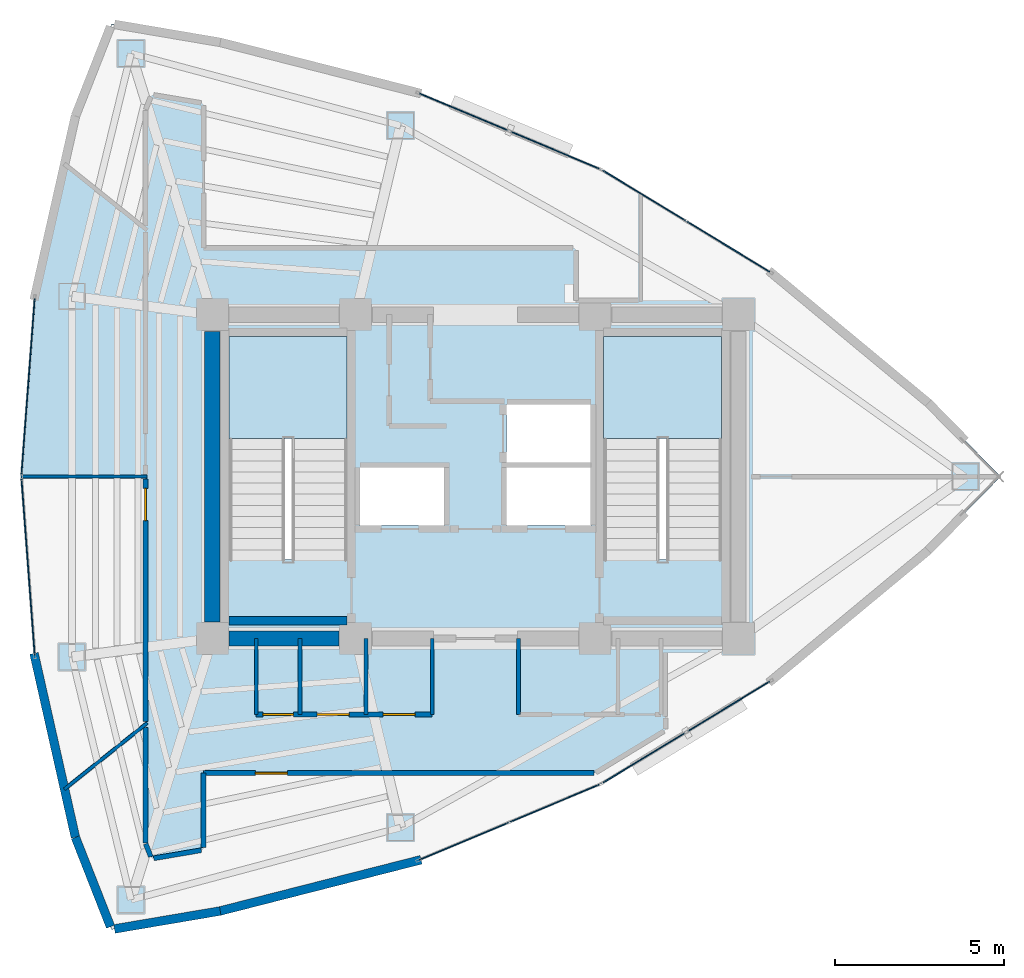
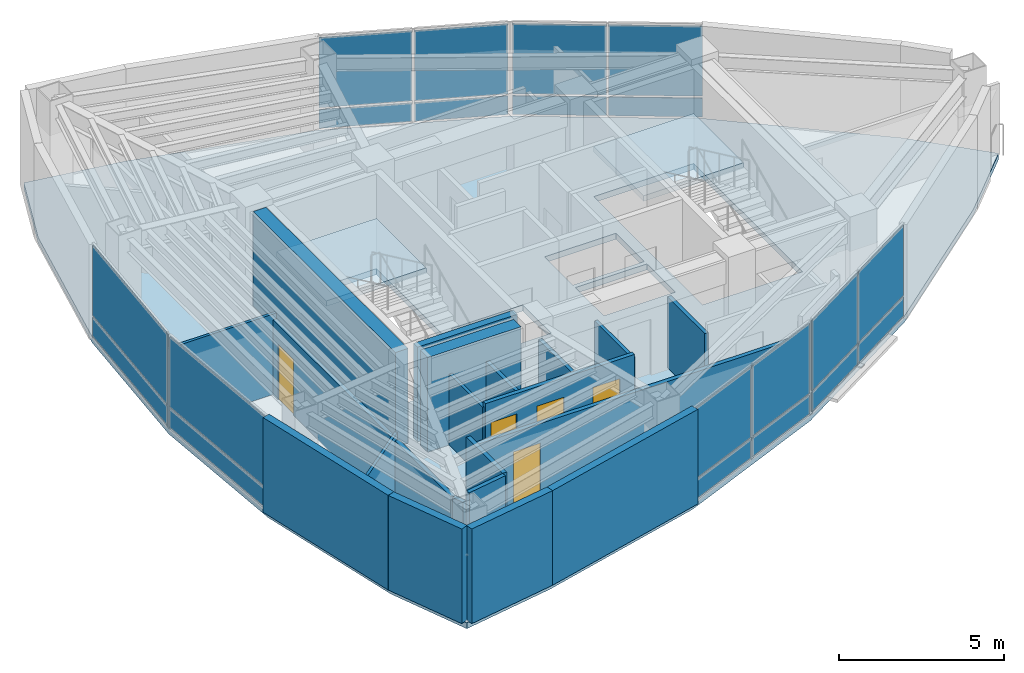
# One storey, part 11 of 15: 21 walls, 20 plates, 5 doors, 3 slabs, 5 openings, 8 elements without a shape of their own.
"""IFC4 building model written with IfcOpenShell, lengths in metres."""

from ifc_helpers import new_model, si_unit, direction, frame, frame_2d, origin, origin_2d, place, context, subcontext, project, spatial, polyline, rectangle, outline, extrude, material, layer, layer_set, type_object, element, fill, aggregate, save


model = new_model("IFC4")

# Units and contexts
model_context = context("Model", 3, precision=1e-05, world=origin(), true_north=direction((0.0, 1.0)))
body_context = subcontext(model_context, "Body", "Model", "MODEL_VIEW")
ifc_project = project(units=[si_unit("LENGTHUNIT", "METRE"), si_unit("AREAUNIT", "SQUARE_METRE"), si_unit("VOLUMEUNIT", "CUBIC_METRE"), si_unit("PLANEANGLEUNIT", "RADIAN"), si_unit("MASSUNIT", "GRAM", prefix="KILO")], contexts=[model_context])

# Site, building, storey
site_placement = place(None, origin())
site = spatial("IfcSite", under=ifc_project, at=site_placement, CompositionType="ELEMENT")
building_placement = place(site_placement, origin())
building = spatial("IfcBuilding", under=site, at=building_placement, Name="Menara Vayukalpa", CompositionType="ELEMENT")
storey_placement = place(building_placement, frame((0.0, 0.0, 262.02001953125)))
storey = spatial("IfcBuildingStorey", under=building, at=storey_placement, Name="L66", CompositionType="ELEMENT", Elevation=262.02001953125)

# Curtain wall, plates
ifc_material_1 = material(Name="Anodised Terracotta Aluminium Alloy 6063-T6", Category="masonry")
ifc_layer_1 = layer(ifc_material_1, 0.1650390625)
ifc_layer_set_1 = layer_set([ifc_layer_1], Name="Anodised Terracotta Aluminium Alloy 6063-T6")
curtain_wall_type = type_object("IfcCurtainWallType", Name="CW-CW6", PredefinedType="USERDEFINED", material=ifc_layer_set_1)
curtain_wall_1_placement = place(storey_placement, origin())
curtain_wall_1 = element("IfcCurtainWall", 1, at=curtain_wall_1_placement, inside=storey, type_object=curtain_wall_type, Name="L66 Observation and Executive Curtain Wall CW6 04", ObjectType="UNITISED", PredefinedType="USERDEFINED")
ifc_material_2 = material(Name="Low-E Double Glazing", Category="glass")
ifc_layer_2 = layer(ifc_material_2, 0.033935546875)
ifc_layer_set_2 = layer_set([ifc_layer_2], Name="Low-E Double Glazing")
plate_type = type_object("IfcPlateType", Name="CWP-CW6", PredefinedType="CURTAIN_PANEL", material=ifc_layer_set_2)
plate_1_placement = place(storey_placement, frame((33.102783203125, 28.814208984375, 0.074951171875), z_axis=(0.0, 0.0, 1.0), x_axis=(-0.854667609532, 0.519175574558, 0.0)))
plate_1 = element("IfcPlate", 2, at=plate_1_placement, type_object=plate_type, Name="CW6 panel 1.1", PredefinedType="CURTAIN_PANEL", context=body_context, shape_type="SweptSolid", body=[
    extrude(rectangle(XDim=2.8486328125, YDim=0.033935546875, at=origin_2d()), origin(), (0.0, 0.0, 1.0), 0.6875),
])
plate_2_placement = place(storey_placement, frame((33.102783203125, 28.814208984375, 0.837646484375), z_axis=(0.0, 0.0, 1.0), x_axis=(-0.854667609532, 0.519175574558, 0.0)))
plate_2 = element("IfcPlate", 3, at=plate_2_placement, type_object=plate_type, Name="CW6 panel 1.2", PredefinedType="CURTAIN_PANEL", context=body_context, shape_type="SweptSolid", body=[
    extrude(rectangle(XDim=2.8486328125, YDim=0.033935546875, at=origin_2d()), origin(), (0.0, 0.0, 1.0), 2.58740234375),
])
plate_3_placement = place(storey_placement, frame((30.608154296875, 30.329345703125, 0.074951171875), z_axis=(0.0, 0.0, 1.0), x_axis=(-0.854667609532, 0.519175574558, 0.0)))
plate_3 = element("IfcPlate", 4, at=plate_3_placement, type_object=plate_type, Name="CW6 panel 2.1", PredefinedType="CURTAIN_PANEL", context=body_context, shape_type="SweptSolid", body=[
    extrude(rectangle(XDim=2.8486328125, YDim=0.033935546875, at=origin_2d()), origin(), (0.0, 0.0, 1.0), 0.6875),
])
plate_4_placement = place(storey_placement, frame((30.608154296875, 30.329345703125, 0.837646484375), z_axis=(0.0, 0.0, 1.0), x_axis=(-0.854667609532, 0.519175574558, 0.0)))
plate_4 = element("IfcPlate", 5, at=plate_4_placement, type_object=plate_type, Name="CW6 panel 2.2", PredefinedType="CURTAIN_PANEL", context=body_context, shape_type="SweptSolid", body=[
    extrude(rectangle(XDim=2.8486328125, YDim=0.033935546875, at=origin_2d()), origin(), (0.0, 0.0, 1.0), 2.58740234375),
])
aggregate(curtain_wall_1, [plate_1, plate_2, plate_3, plate_4])

curtain_wall_2_placement = place(storey_placement, origin())
curtain_wall_2 = element("IfcCurtainWall", 6, at=curtain_wall_2_placement, inside=storey, type_object=curtain_wall_type, Name="L66 Observation and Executive Curtain Wall CW6 05", ObjectType="UNITISED", PredefinedType="USERDEFINED")
plate_5_placement = place(storey_placement, frame((27.952392578125, 31.681884765625, 0.074951171875), z_axis=(0.0, 0.0, 1.0), x_axis=(-0.922540653927, 0.385899911703, 0.0)))
plate_5 = element("IfcPlate", 7, at=plate_5_placement, type_object=plate_type, Name="CW6 panel 1.1", PredefinedType="CURTAIN_PANEL", context=body_context, shape_type="SweptSolid", body=[
    extrude(rectangle(XDim=2.8486328125, YDim=0.033935546875, at=origin_2d()), origin(), (0.0, 0.0, 1.0), 0.6875),
])
plate_6_placement = place(storey_placement, frame((27.952392578125, 31.681884765625, 0.837646484375), z_axis=(0.0, 0.0, 1.0), x_axis=(-0.922540653927, 0.385899911703, 0.0)))
plate_6 = element("IfcPlate", 8, at=plate_6_placement, type_object=plate_type, Name="CW6 panel 1.2", PredefinedType="CURTAIN_PANEL", context=body_context, shape_type="SweptSolid", body=[
    extrude(rectangle(XDim=2.8486328125, YDim=0.033935546875, at=origin_2d()), origin(), (0.0, 0.0, 1.0), 2.58740234375),
])
plate_7_placement = place(storey_placement, frame((25.259765625, 32.808349609375, 0.074951171875), z_axis=(0.0, 0.0, 1.0), x_axis=(-0.922540653927, 0.385899911703, 0.0)))
plate_7 = element("IfcPlate", 9, at=plate_7_placement, type_object=plate_type, Name="CW6 panel 2.1", PredefinedType="CURTAIN_PANEL", context=body_context, shape_type="SweptSolid", body=[
    extrude(rectangle(XDim=2.8486328125, YDim=0.033935546875, at=origin_2d()), origin(), (0.0, 0.0, 1.0), 0.6875),
])
plate_8_placement = place(storey_placement, frame((25.259765625, 32.808349609375, 0.837646484375), z_axis=(0.0, 0.0, 1.0), x_axis=(-0.922540653927, 0.385899911703, 0.0)))
plate_8 = element("IfcPlate", 10, at=plate_8_placement, type_object=plate_type, Name="CW6 panel 2.2", PredefinedType="CURTAIN_PANEL", context=body_context, shape_type="SweptSolid", body=[
    extrude(rectangle(XDim=2.8486328125, YDim=0.033935546875, at=origin_2d()), origin(), (0.0, 0.0, 1.0), 2.58740234375),
])
aggregate(curtain_wall_2, [plate_5, plate_6, plate_7, plate_8])

curtain_wall_3_placement = place(storey_placement, origin())
curtain_wall_3 = element("IfcCurtainWall", 11, at=curtain_wall_3_placement, inside=storey, type_object=curtain_wall_type, Name="L66 Observation and Executive Curtain Wall CW6 10", ObjectType="UNITISED", PredefinedType="USERDEFINED")
plate_9_placement = place(storey_placement, frame((12.33837890625, 24.67333984375, 0.074951171875), z_axis=(0.0, 0.0, 1.0), x_axis=(-0.074789484574, -0.997199344663, 0.0)))
plate_9 = element("IfcPlate", 12, at=plate_9_placement, type_object=plate_type, Name="CW6 panel 1.1", PredefinedType="CURTAIN_PANEL", context=body_context, shape_type="SweptSolid", body=[
    extrude(rectangle(XDim=5.2216796875, YDim=0.033935546875, at=origin_2d()), origin(), (0.0, 0.0, 1.0), 0.6875),
])
plate_10_placement = place(storey_placement, frame((12.33837890625, 24.67333984375, 0.837646484375), z_axis=(0.0, 0.0, 1.0), x_axis=(-0.074789484574, -0.997199344663, 0.0)))
plate_10 = element("IfcPlate", 13, at=plate_10_placement, type_object=plate_type, Name="CW6 panel 1.2", PredefinedType="CURTAIN_PANEL", context=body_context, shape_type="SweptSolid", body=[
    extrude(rectangle(XDim=5.2216796875, YDim=0.033935546875, at=origin_2d()), origin(), (0.0, 0.0, 1.0), 2.58740234375),
])
aggregate(curtain_wall_3, [plate_9, plate_10])

curtain_wall_4_placement = place(storey_placement, origin())
curtain_wall_4 = element("IfcCurtainWall", 14, at=curtain_wall_4_placement, inside=storey, type_object=curtain_wall_type, Name="L66 Observation and Executive Curtain Wall CW6 11", ObjectType="UNITISED", PredefinedType="USERDEFINED")
plate_11_placement = place(storey_placement, frame((12.33837890625, 19.32666015625, 0.074951171875), z_axis=(0.0, 0.0, 1.0), x_axis=(0.074789484574, -0.997199344663, 0.0)))
plate_11 = element("IfcPlate", 15, at=plate_11_placement, type_object=plate_type, Name="CW6 panel 1.1", PredefinedType="CURTAIN_PANEL", context=body_context, shape_type="SweptSolid", body=[
    extrude(rectangle(XDim=5.2216796875, YDim=0.033935546875, at=origin_2d()), origin(), (0.0, 0.0, 1.0), 0.6875),
])
plate_12_placement = place(storey_placement, frame((12.33837890625, 19.32666015625, 0.837646484375), z_axis=(0.0, 0.0, 1.0), x_axis=(0.074789484574, -0.997199344663, 0.0)))
plate_12 = element("IfcPlate", 16, at=plate_12_placement, type_object=plate_type, Name="CW6 panel 1.2", PredefinedType="CURTAIN_PANEL", context=body_context, shape_type="SweptSolid", body=[
    extrude(rectangle(XDim=5.2216796875, YDim=0.033935546875, at=origin_2d()), origin(), (0.0, 0.0, 1.0), 2.58740234375),
])
aggregate(curtain_wall_4, [plate_11, plate_12])

curtain_wall_5_placement = place(storey_placement, origin())
curtain_wall_5 = element("IfcCurtainWall", 17, at=curtain_wall_5_placement, inside=storey, type_object=curtain_wall_type, Name="L66 Observation and Executive Curtain Wall CW6 16", ObjectType="UNITISED", PredefinedType="USERDEFINED")
plate_13_placement = place(storey_placement, frame((25.259765625, 11.191650390625, 0.074951171875), z_axis=(0.0, 0.0, 1.0), x_axis=(0.922540653927, 0.385899911703, 0.0)))
plate_13 = element("IfcPlate", 18, at=plate_13_placement, type_object=plate_type, Name="CW6 panel 1.1", PredefinedType="CURTAIN_PANEL", context=body_context, shape_type="SweptSolid", body=[
    extrude(rectangle(XDim=2.8486328125, YDim=0.033935546875, at=origin_2d()), origin(), (0.0, 0.0, 1.0), 0.6875),
])
plate_14_placement = place(storey_placement, frame((25.259765625, 11.191650390625, 0.837646484375), z_axis=(0.0, 0.0, 1.0), x_axis=(0.922540653927, 0.385899911703, 0.0)))
plate_14 = element("IfcPlate", 19, at=plate_14_placement, type_object=plate_type, Name="CW6 panel 1.2", PredefinedType="CURTAIN_PANEL", context=body_context, shape_type="SweptSolid", body=[
    extrude(rectangle(XDim=2.8486328125, YDim=0.033935546875, at=origin_2d()), origin(), (0.0, 0.0, 1.0), 2.58740234375),
])
plate_15_placement = place(storey_placement, frame((27.952392578125, 12.318115234375, 0.074951171875), z_axis=(0.0, 0.0, 1.0), x_axis=(0.922540653927, 0.385899911703, 0.0)))
plate_15 = element("IfcPlate", 20, at=plate_15_placement, type_object=plate_type, Name="CW6 panel 2.1", PredefinedType="CURTAIN_PANEL", context=body_context, shape_type="SweptSolid", body=[
    extrude(rectangle(XDim=2.8486328125, YDim=0.033935546875, at=origin_2d()), origin(), (0.0, 0.0, 1.0), 0.6875),
])
plate_16_placement = place(storey_placement, frame((27.952392578125, 12.318115234375, 0.837646484375), z_axis=(0.0, 0.0, 1.0), x_axis=(0.922540653927, 0.385899911703, 0.0)))
plate_16 = element("IfcPlate", 21, at=plate_16_placement, type_object=plate_type, Name="CW6 panel 2.2", PredefinedType="CURTAIN_PANEL", context=body_context, shape_type="SweptSolid", body=[
    extrude(rectangle(XDim=2.8486328125, YDim=0.033935546875, at=origin_2d()), origin(), (0.0, 0.0, 1.0), 2.58740234375),
])
aggregate(curtain_wall_5, [plate_13, plate_14, plate_15, plate_16])

curtain_wall_6_placement = place(storey_placement, origin())
curtain_wall_6 = element("IfcCurtainWall", 22, at=curtain_wall_6_placement, inside=storey, type_object=curtain_wall_type, Name="L66 Observation and Executive Curtain Wall CW6 17", ObjectType="UNITISED", PredefinedType="USERDEFINED")
plate_17_placement = place(storey_placement, frame((30.608154296875, 13.670654296875, 0.074951171875), z_axis=(0.0, 0.0, 1.0), x_axis=(0.854667609532, 0.519175574558, 0.0)))
plate_17 = element("IfcPlate", 23, at=plate_17_placement, type_object=plate_type, Name="CW6 panel 1.1", PredefinedType="CURTAIN_PANEL", context=body_context, shape_type="SweptSolid", body=[
    extrude(rectangle(XDim=2.8486328125, YDim=0.033935546875, at=origin_2d()), origin(), (0.0, 0.0, 1.0), 0.6875),
])
plate_18_placement = place(storey_placement, frame((30.608154296875, 13.670654296875, 0.837646484375), z_axis=(0.0, 0.0, 1.0), x_axis=(0.854667609532, 0.519175574558, 0.0)))
plate_18 = element("IfcPlate", 24, at=plate_18_placement, type_object=plate_type, Name="CW6 panel 1.2", PredefinedType="CURTAIN_PANEL", context=body_context, shape_type="SweptSolid", body=[
    extrude(rectangle(XDim=2.8486328125, YDim=0.033935546875, at=origin_2d()), origin(), (0.0, 0.0, 1.0), 2.58740234375),
])
plate_19_placement = place(storey_placement, frame((33.102783203125, 15.185791015625, 0.074951171875), z_axis=(0.0, 0.0, 1.0), x_axis=(0.854667609532, 0.519175574558, 0.0)))
plate_19 = element("IfcPlate", 25, at=plate_19_placement, type_object=plate_type, Name="CW6 panel 2.1", PredefinedType="CURTAIN_PANEL", context=body_context, shape_type="SweptSolid", body=[
    extrude(rectangle(XDim=2.8486328125, YDim=0.033935546875, at=origin_2d()), origin(), (0.0, 0.0, 1.0), 0.6875),
])
plate_20_placement = place(storey_placement, frame((33.102783203125, 15.185791015625, 0.837646484375), z_axis=(0.0, 0.0, 1.0), x_axis=(0.854667609532, 0.519175574558, 0.0)))
plate_20 = element("IfcPlate", 26, at=plate_20_placement, type_object=plate_type, Name="CW6 panel 2.2", PredefinedType="CURTAIN_PANEL", context=body_context, shape_type="SweptSolid", body=[
    extrude(rectangle(XDim=2.8486328125, YDim=0.033935546875, at=origin_2d()), origin(), (0.0, 0.0, 1.0), 2.58740234375),
])
aggregate(curtain_wall_6, [plate_17, plate_18, plate_19, plate_20])

# Slab
ifc_material_3 = material(Name="Concrete C40/50", Category="concrete")
ifc_layer_3 = layer(ifc_material_3, 0.219970703125)
ifc_layer_set_3 = layer_set([ifc_layer_3], Name="Concrete C40/50")
slab_type_1 = type_object("IfcSlabType", Name="SLB-FL220", PredefinedType="FLOOR", material=ifc_layer_set_3)
slab_1_placement = place(storey_placement, frame((0.0, 0.0, -0.219970703125)))
element("IfcSlab", 27, at=slab_1_placement, inside=storey, type_object=slab_type_1, Name="L66 Structural Floor Slab", PredefinedType="FLOOR", context=body_context, shape_type="SweptSolid", body=[
    extrude(outline(polyline([(39.02783203125, 19.816162109375), (41.171875, 22.0), (39.02783203125, 24.183837890625), (34.3798828125, 28.038330078125), (29.3310546875, 31.105224609375), (23.881103515625, 33.385009765625), (18.0302734375, 34.877197265625), (14.814208984375, 35.423095703125), (13.741943359375, 32.693359375), (12.5390625, 27.3466796875), (12.137939453125, 22.0), (12.5390625, 16.6533203125), (13.741943359375, 11.306640625), (14.814208984375, 8.576904296875), (18.0302734375, 9.122802734375), (23.881103515625, 10.614990234375), (29.3310546875, 12.894775390625), (34.3798828125, 15.961669921875), (39.02783203125, 19.816162109375)]), holes=[polyline([(21.800048828125, 19.550048828125), (21.800048828125, 26.14990234375), (18.300048828125, 26.14990234375), (18.300048828125, 19.550048828125), (21.800048828125, 19.550048828125)]), polyline([(32.89990234375, 19.550048828125), (32.89990234375, 26.14990234375), (29.39990234375, 26.14990234375), (29.39990234375, 19.550048828125), (32.89990234375, 19.550048828125)]), polyline([(22.179931640625, 20.550048828125), (24.679931640625, 20.550048828125), (24.679931640625, 22.27001953125), (22.179931640625, 22.27001953125), (22.179931640625, 20.550048828125)]), polyline([(26.52001953125, 20.550048828125), (29.02001953125, 20.550048828125), (29.02001953125, 22.27001953125), (26.52001953125, 22.27001953125), (26.52001953125, 20.550048828125)]), polyline([(26.52001953125, 22.419921875), (29.02001953125, 22.419921875), (29.02001953125, 24.139892578125), (26.52001953125, 24.139892578125), (26.52001953125, 22.419921875)])]), origin(), (0.0, 0.0, 1.0), 0.219970703125),
])

# Stair, slab
ifc_material_4 = material(Name="Precast Concrete C40/50", Category="concrete")
stair_type = type_object("IfcStairType", Name="STR-T04", PredefinedType="DOUBLE_RETURN_STAIR", material=ifc_material_4)
stair_1_placement = place(storey_placement, origin())
stair_1 = element("IfcStair", 28, at=stair_1_placement, inside=storey, type_object=stair_type, Name="L66 Core Exit Stair ST-1", PredefinedType="DOUBLE_RETURN_STAIR")
ifc_material_5 = material(Name="Precast Concrete C40/50", Category="concrete")
ifc_layer_4 = layer(ifc_material_5, 0.199951171875)
ifc_layer_set_4 = layer_set([ifc_layer_4], Name="Precast Concrete C40/50")
slab_type_2 = type_object("IfcSlabType", Name="SLB-LND200", PredefinedType="LANDING", material=ifc_layer_set_4)
slab_2_placement = place(storey_placement, frame((0.0, 0.0, 1.659912109375)))
slab_2 = element("IfcSlab", 29, at=slab_2_placement, type_object=slab_type_2, Name="ST-1 landing 1", PredefinedType="LANDING", context=body_context, shape_type="SweptSolid", body=[
    extrude(outline(polyline([(21.800048828125, 23.1298828125), (21.800048828125, 26.14990234375), (18.300048828125, 26.14990234375), (18.300048828125, 23.1298828125), (21.800048828125, 23.1298828125)])), origin(), (0.0, 0.0, 1.0), 0.199951171875),
])
aggregate(stair_1, [slab_2])

stair_2_placement = place(storey_placement, origin())
stair_2 = element("IfcStair", 30, at=stair_2_placement, inside=storey, type_object=stair_type, Name="L66 Core Exit Stair ST-2", PredefinedType="DOUBLE_RETURN_STAIR")
slab_3_placement = place(storey_placement, frame((0.0, 0.0, 1.659912109375)))
slab_3 = element("IfcSlab", 31, at=slab_3_placement, type_object=slab_type_2, Name="ST-2 landing 1", PredefinedType="LANDING", context=body_context, shape_type="SweptSolid", body=[
    extrude(outline(polyline([(32.89990234375, 23.1298828125), (32.89990234375, 26.14990234375), (29.39990234375, 26.14990234375), (29.39990234375, 23.1298828125), (32.89990234375, 23.1298828125)])), origin(), (0.0, 0.0, 1.0), 0.199951171875),
])
aggregate(stair_2, [slab_3])

# Walls
ifc_material_6 = material(Name="Concrete C50/60", Category="concrete")
ifc_layer_5 = layer(ifc_material_6, 0.449951171875)
ifc_layer_set_5 = layer_set([ifc_layer_5], Name="Concrete C50/60")
wall_type_1 = type_object("IfcWallType", Name="WAL-CW450", PredefinedType="SHEAR", material=ifc_layer_set_5)
wall_1_placement = place(storey_placement, frame((18.294921875, 17.199951171875, 0.0), z_axis=(0.0, 0.0, 1.0), x_axis=(1.0, 0.0, 0.0)))
element("IfcWall", 32, at=wall_1_placement, inside=storey, type_object=wall_type_1, Name="L66 Buttressed Core Shear Wall CWS1", PredefinedType="SHEAR", context=body_context, shape_type="SweptSolid", body=[
    extrude(rectangle(XDim=3.260009765625, YDim=0.449951171875, at=frame_2d((1.6298828125, 0.0))), origin(), (0.0, 0.0, 1.0), 3.5),
])
wall_2_placement = place(storey_placement, frame((17.800048828125, 17.695068359375, 0.0), z_axis=(0.0, 0.0, 1.0), x_axis=(0.0, 1.0, 0.0)))
element("IfcWall", 33, at=wall_2_placement, inside=storey, type_object=wall_type_1, Name="L66 Buttressed Core Shear Wall CWW1", PredefinedType="SHEAR", context=body_context, shape_type="SweptSolid", body=[
    extrude(rectangle(XDim=8.60986328125, YDim=0.449951171875, at=frame_2d((4.304931640625, 0.0))), origin(), (0.0, 0.0, 1.0), 3.5),
])
ifc_material_7 = material(Name="Insulated Precast Concrete C40/50", Category="concrete")
ifc_layer_6 = layer(ifc_material_7, 0.260009765625)
ifc_layer_set_6 = layer_set([ifc_layer_6], Name="Insulated Precast Concrete C40/50")
wall_type_2 = type_object("IfcWallType", Name="WAL-EXT260", PredefinedType="PARTITIONING", material=ifc_layer_set_6)
wall_3_placement = place(storey_placement, frame((13.741943359375, 11.306640625, 0.0), z_axis=(0.0, 0.0, 1.0), x_axis=(-0.219500763731, 0.97561232809, 0.0)))
element("IfcWall", 34, at=wall_3_placement, inside=storey, type_object=wall_type_2, Name="L66 Perimeter Terracotta Pier Wall 12", PredefinedType="PARTITIONING", context=body_context, shape_type="SweptSolid", body=[
    extrude(rectangle(XDim=5.590087890625, YDim=0.260009765625, at=frame_2d((2.794921875, 0.0))), origin(), (0.0, 0.0, 1.0), 3.5),
])
wall_4_placement = place(storey_placement, frame((14.7822265625, 8.658203125, 0.0), z_axis=(0.0, 0.0, 1.0), x_axis=(-0.36559927932, 0.930772349697, 0.0)))
element("IfcWall", 35, at=wall_4_placement, inside=storey, type_object=wall_type_2, Name="L66 Perimeter Terracotta Pier Wall 13", PredefinedType="PARTITIONING", context=body_context, shape_type="SweptSolid", body=[
    extrude(rectangle(XDim=2.845458984375, YDim=0.260009765625, at=frame_2d((1.4228515625, 0.0))), origin(), (0.0, 0.0, 1.0), 3.5),
])
wall_5_placement = place(storey_placement, frame((18.0361328125, 9.123779296875, 0.0), z_axis=(0.0, 0.0, 1.0), x_axis=(-0.985889432766, -0.167397808709, 0.0)))
element("IfcWall", 36, at=wall_5_placement, inside=storey, type_object=wall_type_2, Name="L66 Perimeter Terracotta Pier Wall 14", PredefinedType="PARTITIONING", context=body_context, shape_type="SweptSolid", body=[
    extrude(rectangle(XDim=3.180908203125, YDim=0.260009765625, at=frame_2d((1.59033203125, 0.0))), origin(), (0.0, 0.0, 1.0), 3.5),
])
wall_6_placement = place(storey_placement, frame((23.98779296875, 10.64208984375, 0.0), z_axis=(0.0, 0.0, 1.0), x_axis=(-0.968988278672, -0.247106689096, 0.0)))
element("IfcWall", 37, at=wall_6_placement, inside=storey, type_object=wall_type_2, Name="L66 Perimeter Terracotta Pier Wall 15", PredefinedType="PARTITIONING", context=body_context, shape_type="SweptSolid", body=[
    extrude(rectangle(XDim=6.154296875, YDim=0.260009765625, at=frame_2d((3.0771484375, 0.0))), origin(), (0.0, 0.0, 1.0), 3.5),
])
ifc_material_8 = material(Name="Glazed Demountable Office Partition", Category="glass")
ifc_layer_7 = layer(ifc_material_8, 0.094970703125)
ifc_layer_set_7 = layer_set([ifc_layer_7], Name="Glazed Demountable Office Partition")
wall_type_3 = type_object("IfcWallType", Name="WAL-PT100", PredefinedType="PARTITIONING", material=ifc_layer_set_7)
wall_7_placement = place(storey_placement, frame((12.1279296875, 22.0, 0.0), z_axis=(0.0, 0.0, 1.0), x_axis=(1.0, 0.0, 0.0)))
element("IfcWall", 38, at=wall_7_placement, inside=storey, type_object=wall_type_3, Name="L66 Interior Partition IW-L66-RDIV02", PredefinedType="PARTITIONING", context=body_context, shape_type="SweptSolid", body=[
    extrude(rectangle(XDim=3.7421875, YDim=0.094970703125, at=frame_2d((1.87109375, 0.0))), origin(), (0.0, 0.0, 1.0), 2.97998046875),
])
wall_8_placement = place(storey_placement, frame((13.41162109375, 12.729248046875, 0.0), z_axis=(0.0, 0.0, 1.0), x_axis=(0.780868809443, 0.624695047554, 0.0)))
element("IfcWall", 39, at=wall_8_placement, inside=storey, type_object=wall_type_3, Name="L66 Interior Partition IW-L66-RDIV04", PredefinedType="PARTITIONING", context=body_context, shape_type="SweptSolid", body=[
    extrude(rectangle(XDim=3.1484375, YDim=0.094970703125, at=frame_2d((1.57421875, 0.0))), origin(), (0.0, 0.0, 1.0), 2.97998046875),
])
ifc_material_9 = material(Name="Acoustic Mineral Stud Partition", Category="masonry")
ifc_layer_8 = layer(ifc_material_9, 0.110107421875)
ifc_layer_set_8 = layer_set([ifc_layer_8], Name="Acoustic Mineral Stud Partition")
wall_type_4 = type_object("IfcWallType", Name="WAL-PT110", PredefinedType="PARTITIONING", material=ifc_layer_set_8)
for number, where, z_axis, x_axis, name in (
    (40, (19.10009765625, 14.949951171875, 0.0), (0.0, 0.0, 1.0), (0.0, 1.0, 0.0), "L66 Interior Partition IW-L66-SVCD-01"),
    (41, (24.320068359375, 14.949951171875, 0.0), (0.0, 0.0, 1.0), (0.0, 1.0, 0.0), "L66 Interior Partition IW-L66-SVCD-04"),
):
    element("IfcWall", number, at=place(storey_placement, frame(where, z_axis=z_axis, x_axis=x_axis)), inside=storey, type_object=wall_type_4, Name=name, PredefinedType="PARTITIONING", context=body_context, shape_type="SweptSolid", body=[
        extrude(rectangle(XDim=2.25, YDim=0.110107421875, at=frame_2d((1.125, 0.0))), origin(), (0.0, 0.0, 1.0), 2.6298828125),
    ])
ifc_material_10 = material(Name="Gypsum Drywall Steel Stud Assembly", Category="steel")
ifc_layer_9 = layer(ifc_material_10, 0.125)
ifc_layer_set_9 = layer_set([ifc_layer_9], Name="Gypsum Drywall Steel Stud Assembly")
wall_type_5 = type_object("IfcWallType", Name="WAL-PT125", PredefinedType="PARTITIONING", material=ifc_layer_set_9)
for number, where, z_axis, x_axis, name in (
    (42, (20.39990234375, 14.949951171875, 0.0), (0.0, 0.0, 1.0), (0.0, 1.0, 0.0), "L66 Interior Partition IW-L66-SVCD-02"),
    (43, (22.360107421875, 14.949951171875, 0.0), (0.0, 0.0, 1.0), (0.0, 1.0, 0.0), "L66 Interior Partition IW-L66-SVCD-03"),
    (44, (26.8798828125, 14.949951171875, 0.0), (0.0, 0.0, 1.0), (0.0, 1.0, 0.0), "L66 Interior Partition IW-L66-SVCD-05"),
):
    element("IfcWall", number, at=place(storey_placement, frame(where, z_axis=z_axis, x_axis=x_axis)), inside=storey, type_object=wall_type_5, Name=name, PredefinedType="PARTITIONING", context=body_context, shape_type="SweptSolid", body=[
        extrude(rectangle(XDim=2.25, YDim=0.125, at=frame_2d((1.125, 0.0))), origin(), (0.0, 0.0, 1.0), 2.6298828125),
    ])

# Wall, openings, doors
ifc_material_11 = material(Name="Gypsum Drywall Acoustic Stud Assembly", Category="masonry")
ifc_layer_10 = layer(ifc_material_11, 0.14501953125)
ifc_layer_set_10 = layer_set([ifc_layer_10], Name="Gypsum Drywall Acoustic Stud Assembly")
wall_type_6 = type_object("IfcWallType", Name="WAL-PT150", PredefinedType="PARTITIONING", material=ifc_layer_set_10)
wall_9_placement = place(storey_placement, frame((19.10009765625, 14.949951171875, 0.0), z_axis=(0.0, 0.0, 1.0), x_axis=(1.0, 0.0, 0.0)))
wall_9 = element("IfcWall", 45, at=wall_9_placement, inside=storey, type_object=wall_type_6, Name="L66 Interior Partition IW-L66-SVCS-W", PredefinedType="PARTITIONING", context=body_context, shape_type="SweptSolid", body=[
    extrude(rectangle(XDim=5.219970703125, YDim=0.14501953125, at=frame_2d((2.60986328125, 0.0))), origin(), (0.0, 0.0, 1.0), 2.780029296875),
])
opening_1_placement = place(wall_9_placement, frame((0.199951171875, 0.0, 0.0)))
opening_1 = element("IfcOpeningElement", 46, at=opening_1_placement, cuts=wall_9, Name="Opening ID7", PredefinedType="OPENING", context=body_context, shape_type="SweptSolid", body=[
    extrude(rectangle(XDim=0.89990234375, YDim=2.02001953125, at=frame_2d((0.449951171875, 1.010009765625))), frame((0.0, 0.08251953125, 0.0), z_axis=(0.0, -1.0, 0.0), x_axis=(1.0, 0.0, 0.0)), (0.0, 0.0, 1.0), 0.1650390625),
])
opening_2_placement = place(wall_9_placement, frame((1.804931640625, 0.0, 0.0)))
opening_2 = element("IfcOpeningElement", 47, at=opening_2_placement, cuts=wall_9, Name="Opening ID5", PredefinedType="OPENING", context=body_context, shape_type="SweptSolid", body=[
    extrude(rectangle(XDim=0.949951171875, YDim=2.06005859375, at=frame_2d((0.47509765625, 1.030029296875))), frame((0.0, 0.08251953125, 0.0), z_axis=(0.0, -1.0, 0.0), x_axis=(1.0, 0.0, 0.0)), (0.0, 0.0, 1.0), 0.1650390625),
])
opening_3_placement = place(wall_9_placement, frame((3.764892578125, 0.0, 0.0)))
opening_3 = element("IfcOpeningElement", 48, at=opening_3_placement, cuts=wall_9, Name="Opening ID5", PredefinedType="OPENING", context=body_context, shape_type="SweptSolid", body=[
    extrude(rectangle(XDim=0.949951171875, YDim=2.06005859375, at=frame_2d((0.47509765625, 1.030029296875))), frame((0.0, 0.08251953125, 0.0), z_axis=(0.0, -1.0, 0.0), x_axis=(1.0, 0.0, 0.0)), (0.0, 0.0, 1.0), 0.1650390625),
])
ifc_material_12 = material(Name="Acoustic Hardwood Veneer Timber Door", Category="wood")
door_type_1 = type_object("IfcDoorType", Name="DR-INT95", OperationType="NOTDEFINED", PredefinedType="DOOR", material=ifc_material_12)
door_1_placement = place(opening_2_placement, origin())
door_1 = element("IfcDoor", 49, at=door_1_placement, inside=storey, type_object=door_type_1, Name="L66 Interior Door DR-L66-AWC", OperationType="SINGLE_SWING_LEFT", OverallHeight=2.06005859375, OverallWidth=0.949951171875, PredefinedType="DOOR", context=body_context, shape_type="SweptSolid", body=[
    extrude(rectangle(XDim=0.949951171875, YDim=2.06005859375, at=frame_2d((0.47509765625, 1.030029296875))), frame((0.0, 0.02490234375, 0.0), z_axis=(0.0, -1.0, 0.0), x_axis=(1.0, 0.0, 0.0)), (0.0, 0.0, 1.0), 0.050048828125),
])
fill(opening_2, door_1)
door_2_placement = place(opening_3_placement, origin())
door_2 = element("IfcDoor", 50, at=door_2_placement, inside=storey, type_object=door_type_1, Name="L66 Interior Door DR-L66-SWC", OperationType="SINGLE_SWING_RIGHT", OverallHeight=2.06005859375, OverallWidth=0.949951171875, PredefinedType="DOOR", context=body_context, shape_type="SweptSolid", body=[
    extrude(rectangle(XDim=0.949951171875, YDim=2.06005859375, at=frame_2d((0.47509765625, 1.030029296875))), frame((0.0, 0.02490234375, 0.0), z_axis=(0.0, -1.0, 0.0), x_axis=(1.0, 0.0, 0.0)), (0.0, 0.0, 1.0), 0.050048828125),
])
fill(opening_3, door_2)
ifc_material_13 = material(Name="Powder-Coated Steel Riser Access Door", Category="steel")
door_type_2 = type_object("IfcDoorType", Name="DR-RISER", OperationType="NOTDEFINED", PredefinedType="DOOR", material=ifc_material_13)
door_3_placement = place(opening_1_placement, origin())
door_3 = element("IfcDoor", 51, at=door_3_placement, inside=storey, type_object=door_type_2, Name="L66 Interior Door DR-L66-ELR", OperationType="SINGLE_SWING_RIGHT", OverallHeight=2.02001953125, OverallWidth=0.89990234375, PredefinedType="DOOR", context=body_context, shape_type="SweptSolid", body=[
    extrude(rectangle(XDim=0.89990234375, YDim=2.02001953125, at=frame_2d((0.449951171875, 1.010009765625))), frame((0.0, 0.02490234375, 0.0), z_axis=(0.0, -1.0, 0.0), x_axis=(1.0, 0.0, 0.0)), (0.0, 0.0, 1.0), 0.050048828125),
])
fill(opening_1, door_3)

# Wall, opening, door
wall_10_placement = place(storey_placement, frame((15.820068359375, 21.929931640625, 0.0), z_axis=(0.0, 0.0, 1.0), x_axis=(0.0, -1.0, 0.0)))
wall_10 = element("IfcWall", 52, at=wall_10_placement, inside=storey, type_object=wall_type_6, Name="L66 Interior Partition IW-L66-CRM01-1", PredefinedType="PARTITIONING", context=body_context, shape_type="SweptSolid", body=[
    extrude(rectangle(XDim=7.184326171875, YDim=0.14501953125, at=frame_2d((3.59228515625, 0.0))), origin(), (0.0, 0.0, 1.0), 2.780029296875),
])
opening_4_placement = place(wall_10_placement, frame((0.280029296875, 0.0, 0.0)))
opening_4 = element("IfcOpeningElement", 53, at=opening_4_placement, cuts=wall_10, Name="Opening ID5", PredefinedType="OPENING", context=body_context, shape_type="SweptSolid", body=[
    extrude(rectangle(XDim=0.949951171875, YDim=2.06005859375, at=frame_2d((0.47509765625, 1.030029296875))), frame((0.0, 0.08251953125, 0.0), z_axis=(0.0, -1.0, 0.0), x_axis=(1.0, 0.0, 0.0)), (0.0, 0.0, 1.0), 0.1650390625),
])
door_4_placement = place(opening_4_placement, origin())
door_4 = element("IfcDoor", 54, at=door_4_placement, inside=storey, type_object=door_type_1, Name="L66 Interior Door DR-L66-RM01", OperationType="SINGLE_SWING_LEFT", OverallHeight=2.06005859375, OverallWidth=0.949951171875, PredefinedType="DOOR", context=body_context, shape_type="SweptSolid", body=[
    extrude(rectangle(XDim=0.949951171875, YDim=2.06005859375, at=frame_2d((0.47509765625, 1.030029296875))), frame((0.0, 0.02490234375, 0.0), z_axis=(0.0, -1.0, 0.0), x_axis=(1.0, 0.0, 0.0)), (0.0, 0.0, 1.0), 0.050048828125),
])
fill(opening_4, door_4)

# Walls
wall_11_placement = place(storey_placement, frame((15.820068359375, 14.56640625, 0.0), z_axis=(0.0, 0.0, 1.0), x_axis=(0.0, -1.0, 0.0)))
element("IfcWall", 55, at=wall_11_placement, inside=storey, type_object=wall_type_6, Name="L66 Interior Partition IW-L66-CRM03-1", PredefinedType="PARTITIONING", context=body_context, shape_type="SweptSolid", body=[
    extrude(rectangle(XDim=3.420166015625, YDim=0.14501953125, at=frame_2d((1.7099609375, 0.0))), origin(), (0.0, 0.0, 1.0), 2.780029296875),
])
wall_12_placement = place(storey_placement, frame((15.825439453125, 11.116943359375, 0.0), z_axis=(0.0, 0.0, 1.0), x_axis=(0.365633948196, -0.930758731319, 0.0)))
element("IfcWall", 56, at=wall_12_placement, inside=storey, type_object=wall_type_6, Name="L66 Interior Partition IW-L66-CRM03-2", PredefinedType="PARTITIONING", context=body_context, shape_type="SweptSolid", body=[
    extrude(rectangle(XDim=0.409912109375, YDim=0.14501953125, at=frame_2d((0.205078125, 0.0))), origin(), (0.0, 0.0, 1.0), 2.780029296875),
])
wall_13_placement = place(storey_placement, frame((16.063232421875, 10.685546875, 0.0), z_axis=(0.0, 0.0, 1.0), x_axis=(0.985881780308, 0.167442871621, 0.0)))
element("IfcWall", 57, at=wall_13_placement, inside=storey, type_object=wall_type_6, Name="L66 Interior Partition IW-L66-CRM03-3", PredefinedType="PARTITIONING", context=body_context, shape_type="SweptSolid", body=[
    extrude(rectangle(XDim=1.430419921875, YDim=0.14501953125, at=frame_2d((0.71533203125, 0.0))), origin(), (0.0, 0.0, 1.0), 3.1298828125),
])
wall_14_placement = place(storey_placement, frame((17.5400390625, 11.00390625, 0.0), z_axis=(0.0, 0.0, 1.0), x_axis=(0.0, 1.0, 0.0)))
element("IfcWall", 58, at=wall_14_placement, inside=storey, type_object=wall_type_6, Name="L66 Interior Partition IW-L66-CRM03-4", PredefinedType="PARTITIONING", context=body_context, shape_type="SweptSolid", body=[
    extrude(rectangle(XDim=2.2060546875, YDim=0.14501953125, at=frame_2d((1.10302734375, 0.0))), origin(), (0.0, 0.0, 1.0), 3.1298828125),
])

# Wall, opening, door
wall_15_placement = place(storey_placement, frame((17.5400390625, 13.2099609375, 0.0), z_axis=(0.0, 0.0, 1.0), x_axis=(1.0, 0.0, 0.0)))
wall_15 = element("IfcWall", 59, at=wall_15_placement, inside=storey, type_object=wall_type_6, Name="L66 Interior Partition IW-L66-CRM03-5", PredefinedType="PARTITIONING", context=body_context, shape_type="SweptSolid", body=[
    extrude(rectangle(XDim=11.56982421875, YDim=0.14501953125, at=frame_2d((5.784912109375, 0.0))), origin(), (0.0, 0.0, 1.0), 2.780029296875),
])
opening_5_placement = place(wall_15_placement, frame((1.53759765625, 0.0, 0.0)))
opening_5 = element("IfcOpeningElement", 60, at=opening_5_placement, cuts=wall_15, Name="Opening ID5", PredefinedType="OPENING", context=body_context, shape_type="SweptSolid", body=[
    extrude(rectangle(XDim=0.949951171875, YDim=2.06005859375, at=frame_2d((0.47509765625, 1.030029296875))), frame((0.0, 0.08251953125, 0.0), z_axis=(0.0, -1.0, 0.0), x_axis=(1.0, 0.0, 0.0)), (0.0, 0.0, 1.0), 0.1650390625),
])
door_5_placement = place(opening_5_placement, origin())
door_5 = element("IfcDoor", 61, at=door_5_placement, inside=storey, type_object=door_type_1, Name="L66 Interior Door DR-L66-RM03", OperationType="SINGLE_SWING_RIGHT", OverallHeight=2.06005859375, OverallWidth=0.949951171875, PredefinedType="DOOR", context=body_context, shape_type="SweptSolid", body=[
    extrude(rectangle(XDim=0.949951171875, YDim=2.06005859375, at=frame_2d((0.47509765625, 1.030029296875))), frame((0.0, 0.02490234375, 0.0), z_axis=(0.0, -1.0, 0.0), x_axis=(1.0, 0.0, 0.0)), (0.0, 0.0, 1.0), 0.050048828125),
])
fill(opening_5, door_5)

# Wall
ifc_material_14 = material(Name="Concrete C50/60", Category="concrete")
ifc_layer_11 = layer(ifc_material_14, 0.25)
ifc_layer_set_11 = layer_set([ifc_layer_11], Name="Concrete C50/60")
wall_type_7 = type_object("IfcWallType", Name="WAL-SW250", PredefinedType="SHEAR", material=ifc_layer_set_11)
wall_16_placement = place(storey_placement, frame((18.300048828125, 17.72509765625, 0.0), z_axis=(0.0, 0.0, 1.0), x_axis=(1.0, 0.0, 0.0)))
element("IfcWall", 62, at=wall_16_placement, inside=storey, type_object=wall_type_7, Name="L66 ST1 Structural Stair Shaft Wall S", PredefinedType="SHEAR", context=body_context, shape_type="SweptSolid", body=[
    extrude(rectangle(XDim=3.5, YDim=0.25, at=frame_2d((1.75, 0.0))), origin(), (0.0, 0.0, 1.0), 3.5),
])

save(model, "model.ifc")
